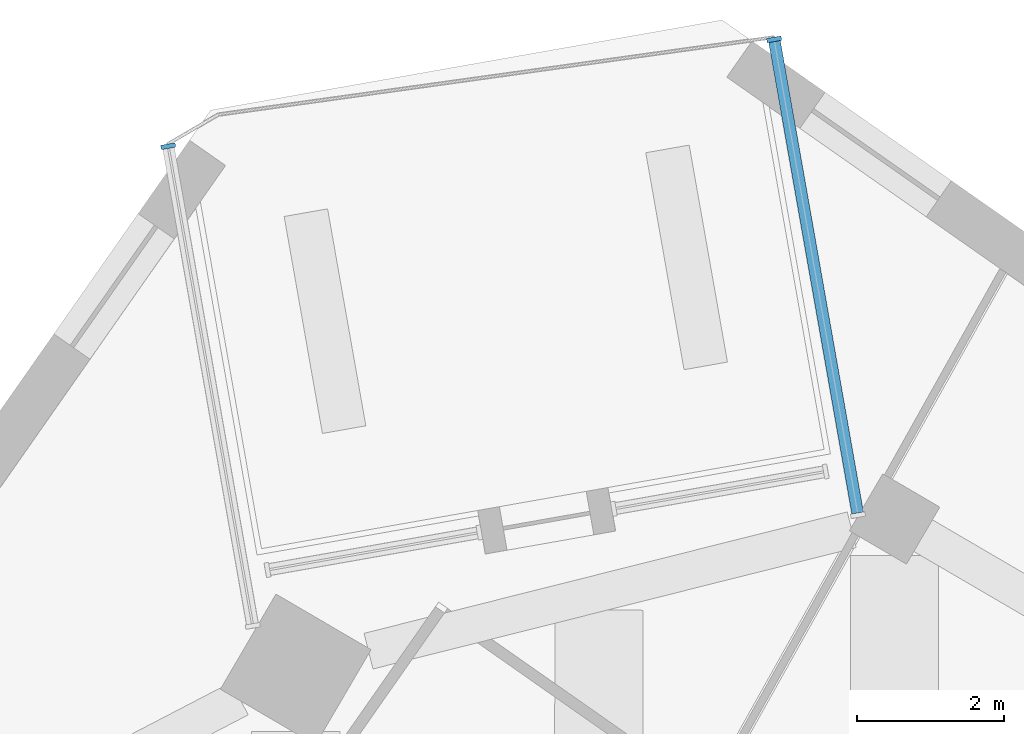
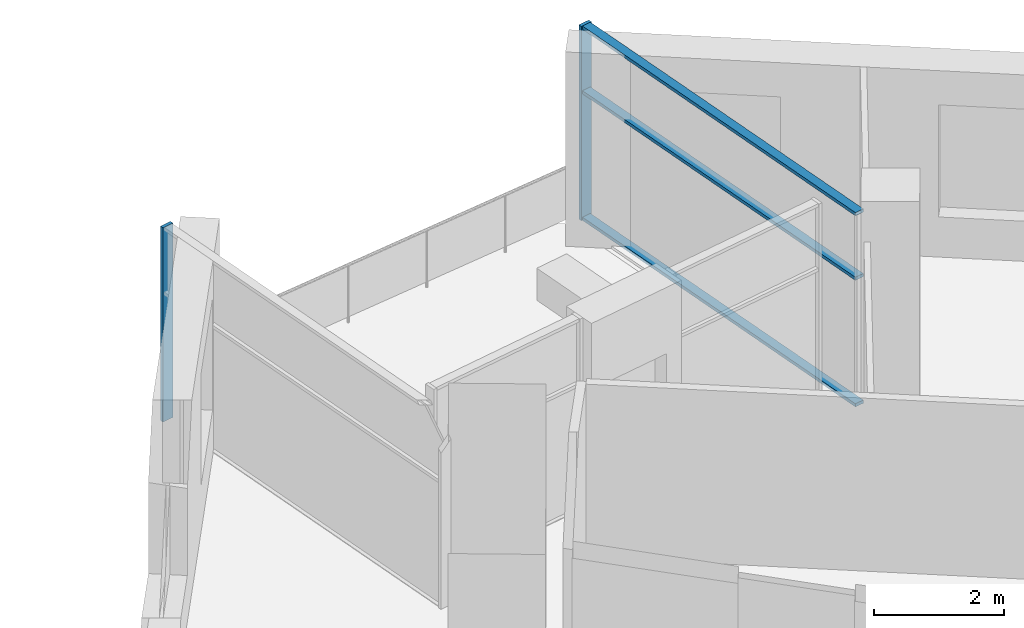
# One storey, part 4 of 13: 5 members, 2 elements without a shape of their own.
"""IFC4 building model written with IfcOpenShell, lengths in metres."""

from ifc_helpers import new_model, si_unit, direction, frame, origin, origin_2d, place, context, subcontext, project, spatial, rectangle, extrude, material, material_profile, profile_set, type_object, element, aggregate, save


model = new_model("IFC4")

# Units and contexts
model_context = context("Model", 3, precision=1e-05, world=origin(), true_north=direction((0.0, 1.0)))
body_context = subcontext(model_context, "Body", "Model", "MODEL_VIEW")
ifc_project = project(units=[si_unit("LENGTHUNIT", "METRE"), si_unit("AREAUNIT", "SQUARE_METRE"), si_unit("VOLUMEUNIT", "CUBIC_METRE"), si_unit("PLANEANGLEUNIT", "RADIAN"), si_unit("MASSUNIT", "GRAM", prefix="KILO")], contexts=[model_context])

# Site, building, storey
site_placement = place(None, origin())
site = spatial("IfcSite", under=ifc_project, at=site_placement, CompositionType="ELEMENT")
building_placement = place(site_placement, origin())
building = spatial("IfcBuilding", under=site, at=building_placement, Name="Dilmun Exchange Tower", CompositionType="ELEMENT")
storey_placement = place(building_placement, frame((0.0, 0.0, 250.89990234375)))
storey = spatial("IfcBuildingStorey", under=building, at=storey_placement, Name="L59", CompositionType="ELEMENT", Elevation=250.89990234375)

# Curtain wall, member
ifc_material_1 = material(Name="Anodised aluminium and clear glass", Category="aluminium")
curtain_wall_type = type_object("IfcCurtainWallType", Name="Garden corner glazing", PredefinedType="NOTDEFINED", material=ifc_material_1)
curtain_wall_1_placement = place(storey_placement, origin())
curtain_wall_1 = element("IfcCurtainWall", 1, at=curtain_wall_1_placement, inside=storey, type_object=curtain_wall_type, Name="Garden corner glazing run GC1.1", PredefinedType="NOTDEFINED")
ifc_material_2 = material(Name="Anodised aluminium", Category="aluminium")
ifc_material_profile_1 = material_profile(ifc_material_2, rectangle(XDim=0.199951171875, YDim=0.06005859375, at=origin_2d()), Name="AL 60x200")
ifc_profile_set_1 = profile_set([ifc_material_profile_1], Name="Anodised aluminium")
member_type_1 = type_object("IfcMemberType", Name="Garden corner glazing mullion 60 x 200", PredefinedType="MULLION", material=ifc_profile_set_1)
member_1_placement = place(storey_placement, frame((2.599365234375, 35.0361328125, 0.0), z_axis=(0.0, 0.0, 1.0), x_axis=(0.984807359836, 0.173650407466, 0.0)))
member_1 = element("IfcMember", 2, at=member_1_placement, type_object=member_type_1, Name="GC1.1 mullion 1", PredefinedType="MULLION", context=body_context, shape_type="SweptSolid", body=[
    extrude(rectangle(XDim=0.199951171875, YDim=0.06005859375, at=origin_2d()), origin(), (0.0, 0.0, 1.0), 3.64013671875),
])

curtain_wall_2_placement = place(storey_placement, origin())
curtain_wall_2 = element("IfcCurtainWall", 3, at=curtain_wall_2_placement, inside=storey, type_object=curtain_wall_type, Name="Garden corner glazing run GC3.1", PredefinedType="NOTDEFINED")
member_2_placement = place(storey_placement, frame((-5.651611328125, 33.581298828125, 0.0), z_axis=(0.0, 0.0, 1.0), x_axis=(-0.984807317735, -0.173650646227, 0.0)))
member_2 = element("IfcMember", 4, at=member_2_placement, type_object=member_type_1, Name="GC3.1 mullion 2", PredefinedType="MULLION", context=body_context, shape_type="SweptSolid", body=[
    extrude(rectangle(XDim=0.199951171875, YDim=0.06005859375, at=origin_2d()), origin(), (0.0, 0.0, 1.0), 3.64013671875),
])
aggregate(curtain_wall_2, [member_2])

# Member
ifc_material_profile_2 = material_profile(ifc_material_2, rectangle(XDim=0.159912109375, YDim=0.06005859375, at=origin_2d()), Name="AL 60x160")
ifc_profile_set_2 = profile_set([ifc_material_profile_2], Name="Anodised aluminium")
member_type_2 = type_object("IfcMemberType", Name="Garden corner glazing transom 60 x 160", PredefinedType="USERDEFINED", material=ifc_profile_set_2)
member_3_placement = place(storey_placement, frame((2.604736328125, 35.006591796875, 0.030029296875), z_axis=(0.173648578108, -0.984807682404, 0.0), x_axis=(0.984807682404, 0.173648578108, 0.0)))
member_3 = element("IfcMember", 5, at=member_3_placement, type_object=member_type_2, Name="GC1.1 transom 1.1", ObjectType="TRANSOM", PredefinedType="USERDEFINED", context=body_context, shape_type="SweptSolid", body=[
    extrude(rectangle(XDim=0.159912109375, YDim=0.06005859375, at=origin_2d()), origin(), (0.0, 0.0, 1.0), 6.51806640625),
])

member_4_placement = place(storey_placement, frame((2.604736328125, 35.006591796875, 2.400146484375), z_axis=(0.173648578108, -0.984807682404, 0.0), x_axis=(0.984807682404, 0.173648578108, 0.0)))
member_4 = element("IfcMember", 6, at=member_4_placement, type_object=member_type_2, Name="GC1.1 transom 1.2", ObjectType="TRANSOM", PredefinedType="USERDEFINED", context=body_context, shape_type="SweptSolid", body=[
    extrude(rectangle(XDim=0.159912109375, YDim=0.06005859375, at=origin_2d()), origin(), (0.0, 0.0, 1.0), 6.51806640625),
])

member_5_placement = place(storey_placement, frame((2.604736328125, 35.006591796875, 3.610107421875), z_axis=(0.173648578108, -0.984807682404, 0.0), x_axis=(0.984807682404, 0.173648578108, 0.0)))
member_5 = element("IfcMember", 7, at=member_5_placement, type_object=member_type_2, Name="GC1.1 transom 1.3", ObjectType="TRANSOM", PredefinedType="USERDEFINED", context=body_context, shape_type="SweptSolid", body=[
    extrude(rectangle(XDim=0.159912109375, YDim=0.06005859375, at=origin_2d()), origin(), (0.0, 0.0, 1.0), 6.51806640625),
])

aggregate(curtain_wall_1, [member_1, member_3, member_4, member_5])

save(model, "model.ifc")
